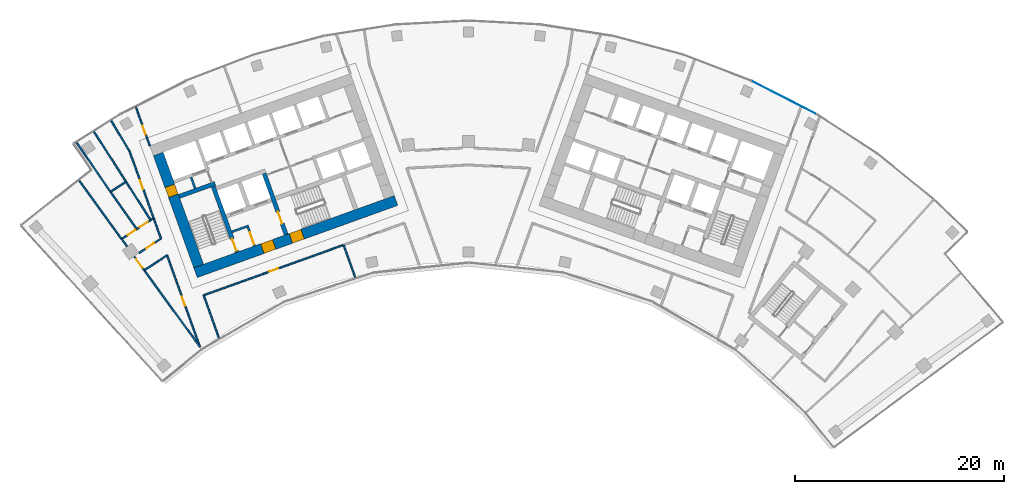
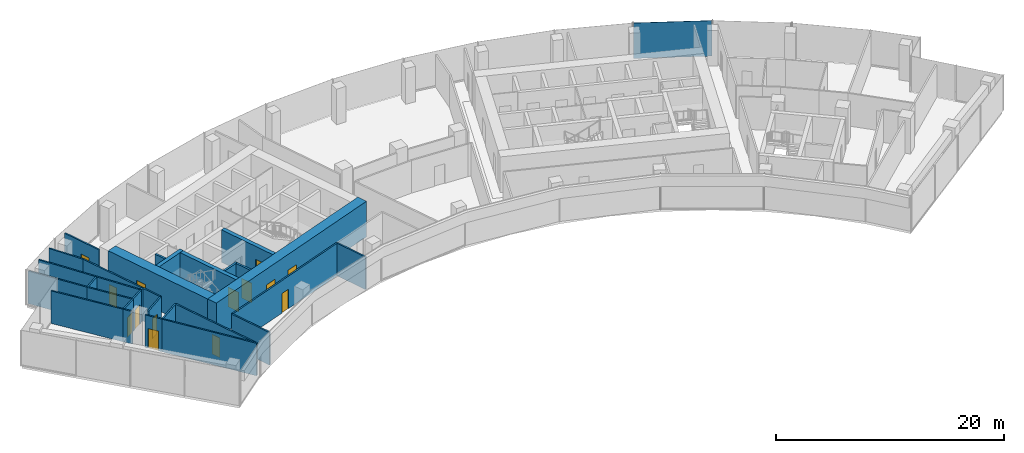
# One storey, part 11 of 17: 30 walls, 14 doors, 1 plate, 14 openings, 1 element without a shape of its own.
"""IFC4 building model written with IfcOpenShell, lengths in metres."""

from ifc_helpers import new_model, si_unit, direction, frame, frame_2d, origin, origin_2d, place, context, subcontext, project, spatial, rectangle, extrude, material, layer, layer_set, type_object, element, fill, aggregate, save


model = new_model("IFC4")

# Units and contexts
model_context = context("Model", 3, precision=1e-05, world=origin(), true_north=direction((0.0, 1.0)))
body_context = subcontext(model_context, "Body", "Model", "MODEL_VIEW")
ifc_project = project(units=[si_unit("LENGTHUNIT", "METRE"), si_unit("AREAUNIT", "SQUARE_METRE"), si_unit("VOLUMEUNIT", "CUBIC_METRE"), si_unit("PLANEANGLEUNIT", "RADIAN"), si_unit("MASSUNIT", "GRAM", prefix="KILO")], contexts=[model_context])

# Site, building, storey
site_placement = place(None, origin())
site = spatial("IfcSite", under=ifc_project, at=site_placement, CompositionType="ELEMENT")
building_placement = place(site_placement, origin())
building = spatial("IfcBuilding", under=site, at=building_placement, Name="Stone Belt Terrace Tower", CompositionType="ELEMENT")
storey_placement = place(building_placement, frame((0.0, 0.0, 231.39990234375)))
storey = spatial("IfcBuildingStorey", under=building, at=storey_placement, Name="L56", CompositionType="ELEMENT", Elevation=231.39990234375)

# Curtain wall, plate
ifc_material_1 = material(Name="Aluminium 6063-T6 anodised frame", Category="aluminium")
ifc_layer_1 = layer(ifc_material_1, 0.14990234375)
ifc_layer_set_1 = layer_set([ifc_layer_1], Name="CW-A unitised convex-face curtain wall")
curtain_wall_type = type_object("IfcCurtainWallType", Name="CW-A unitised convex-face curtain wall", PredefinedType="NOTDEFINED", material=ifc_layer_set_1)
curtain_wall_placement = place(storey_placement, origin())
curtain_wall = element("IfcCurtainWall", 1, at=curtain_wall_placement, inside=storey, type_object=curtain_wall_type, Name="CW-A convex face L56", PredefinedType="NOTDEFINED")
ifc_material_2 = material(Name="Clear double glazed unit")
ifc_layer_2 = layer(ifc_material_2, 0.031982421875)
ifc_layer_set_2 = layer_set([ifc_layer_2], Name="CW-A glass panel 32")
plate_type = type_object("IfcPlateType", Name="CW-A glass panel 32", PredefinedType="CURTAIN_PANEL", material=ifc_layer_set_2)
plate_placement = place(storey_placement, frame((30.18310546875, 59.237548828125, 0.0), z_axis=(0.0, 0.0, 1.0), x_axis=(-0.891006524188, 0.45399049974, 0.0)))
plate = element("IfcPlate", 2, at=plate_placement, type_object=plate_type, Name="CW-A panel 4.1", PredefinedType="CURTAIN_PANEL", context=body_context, shape_type="SweptSolid", body=[
    extrude(rectangle(XDim=6.90087890625, YDim=0.031982421875, at=origin_2d()), origin(), (0.0, 0.0, 1.0), 3.800048828125),
])
aggregate(curtain_wall, [plate])

# Wall, openings, doors
ifc_material_3 = material(Name="Concrete B60", Category="concrete")
ifc_layer_3 = layer(ifc_material_3, 1.0)
ifc_layer_set_3 = layer_set([ifc_layer_3], Name="Core wall 1000 B60")
wall_type_1 = type_object("IfcWallType", Name="Core wall 1000 B60", PredefinedType="SHEAR", material=ifc_layer_set_3)
wall_1_placement = place(storey_placement, frame((-26.122314453125, 42.462890625, 0.0), z_axis=(0.0, 0.0, 1.0), x_axis=(0.940921428504, 0.338624962727, 0.0)))
wall_1 = element("IfcWall", 3, at=wall_1_placement, inside=storey, type_object=wall_type_1, Name="Core A wall concave L56", PredefinedType="SHEAR", context=body_context, shape_type="SweptSolid", body=[
    extrude(rectangle(XDim=20.400146484375, YDim=1.0, at=frame_2d((10.2001953125, 0.0))), origin(), (0.0, 0.0, 1.0), 3.800048828125),
])
opening_1_placement = place(wall_1_placement, frame((6.800048828125, 0.0, 0.0)))
opening_1 = element("IfcOpeningElement", 4, at=opening_1_placement, cuts=wall_1, Name="Opening L56-C10", PredefinedType="OPENING", context=body_context, shape_type="SweptSolid", body=[
    extrude(rectangle(XDim=1.199951171875, YDim=2.10009765625, at=frame_2d((0.60009765625, 1.050048828125))), frame((0.0, 0.510009765625, 0.0), z_axis=(0.0, -1.0, 0.0), x_axis=(1.0, 0.0, 0.0)), (0.0, 0.0, 1.0), 1.02001953125),
])
opening_2_placement = place(wall_1_placement, frame((9.699951171875, 0.0, 0.0)))
opening_2 = element("IfcOpeningElement", 5, at=opening_2_placement, cuts=wall_1, Name="Opening L56-C12", PredefinedType="OPENING", context=body_context, shape_type="SweptSolid", body=[
    extrude(rectangle(XDim=1.199951171875, YDim=2.10009765625, at=frame_2d((0.60009765625, 1.050048828125))), frame((0.0, 0.510009765625, 0.0), z_axis=(0.0, -1.0, 0.0), x_axis=(1.0, 0.0, 0.0)), (0.0, 0.0, 1.0), 1.02001953125),
])
ifc_material_4 = material(Name="Steel door leaf", Category="steel")
door_type_1 = type_object("IfcDoorType", Name="Fire-fighting lobby door 1200", OperationType="SINGLE_SWING_LEFT", PredefinedType="DOOR", material=ifc_material_4)
door_1_placement = place(opening_1_placement, origin())
door_1 = element("IfcDoor", 6, at=door_1_placement, inside=storey, type_object=door_type_1, Name="Fire-fighting lobby door core A", OperationType="SINGLE_SWING_RIGHT", OverallHeight=2.10009765625, OverallWidth=1.199951171875, PredefinedType="DOOR", context=body_context, shape_type="SweptSolid", body=[
    extrude(rectangle(XDim=1.199951171875, YDim=2.10009765625, at=frame_2d((0.60009765625, 1.050048828125))), frame((0.0, 0.47998046875, 0.0), z_axis=(0.0, -1.0, 0.0), x_axis=(1.0, 0.0, 0.0)), (0.0, 0.0, 1.0), 0.9599609375),
])
fill(opening_1, door_1)
door_type_2 = type_object("IfcDoorType", Name="Stair door 1200", OperationType="SINGLE_SWING_LEFT", PredefinedType="DOOR", material=ifc_material_4)
door_2_placement = place(opening_2_placement, origin())
door_2 = element("IfcDoor", 7, at=door_2_placement, inside=storey, type_object=door_type_2, Name="Stair 2 exit door core A", OperationType="SINGLE_SWING_LEFT", OverallHeight=2.10009765625, OverallWidth=1.199951171875, PredefinedType="DOOR", context=body_context, shape_type="SweptSolid", body=[
    extrude(rectangle(XDim=1.199951171875, YDim=2.10009765625, at=frame_2d((0.60009765625, 1.050048828125))), frame((0.0, 0.47998046875, 0.0), z_axis=(0.0, -1.0, 0.0), x_axis=(1.0, 0.0, 0.0)), (0.0, 0.0, 1.0), 0.9599609375),
])
fill(opening_2, door_2)

# Wall, opening, door
wall_2_placement = place(storey_placement, frame((-25.821044921875, 43.102783203125, 0.0), z_axis=(0.0, 0.0, 1.0), x_axis=(-0.338625431531, 0.940921259788, 0.0)))
wall_2 = element("IfcWall", 8, at=wall_2_placement, inside=storey, type_object=wall_type_1, Name="Core A wall end_a L56", PredefinedType="SHEAR", context=body_context, shape_type="SweptSolid", body=[
    extrude(rectangle(XDim=11.400146484375, YDim=1.0, at=frame_2d((5.7001953125, 0.0))), origin(), (0.0, 0.0, 1.0), 3.800048828125),
])
opening_3_placement = place(wall_2_placement, frame((7.14990234375, 0.0, 0.0)))
opening_3 = element("IfcOpeningElement", 9, at=opening_3_placement, cuts=wall_2, Name="Opening L56-C04", PredefinedType="OPENING", context=body_context, shape_type="SweptSolid", body=[
    extrude(rectangle(XDim=1.0, YDim=2.10009765625, at=frame_2d((0.5, 1.050048828125))), frame((0.0, 0.510009765625, 0.0), z_axis=(0.0, -1.0, 0.0), x_axis=(1.0, 0.0, 0.0)), (0.0, 0.0, 1.0), 1.02001953125),
])
ifc_material_5 = material(Name="Timber door leaf", Category="wood")
door_type_3 = type_object("IfcDoorType", Name="Core room door 1000", OperationType="SINGLE_SWING_LEFT", PredefinedType="DOOR", material=ifc_material_5)
door_3_placement = place(opening_3_placement, origin())
door_3 = element("IfcDoor", 10, at=door_3_placement, inside=storey, type_object=door_type_3, Name="Door to Telecommunications riser room core A", OperationType="SINGLE_SWING_LEFT", OverallHeight=2.10009765625, OverallWidth=1.0, PredefinedType="DOOR", context=body_context, shape_type="SweptSolid", body=[
    extrude(rectangle(XDim=1.0, YDim=2.10009765625, at=frame_2d((0.5, 1.050048828125))), frame((0.0, 0.47021484375, 0.0), z_axis=(0.0, -1.0, 0.0), x_axis=(1.0, 0.0, 0.0)), (0.0, 0.0, 1.0), 0.949951171875),
])
fill(opening_3, door_3)

# Wall
ifc_material_6 = material(Name="Gypsum board partition")
ifc_layer_4 = layer(ifc_material_6, 0.14990234375)
ifc_layer_set_4 = layer_set([ifc_layer_4], Name="PARTITION 150 EI 60")
wall_type_2 = type_object("IfcWallType", Name="PARTITION 150 EI 60", PredefinedType="PARTITIONING", material=ifc_layer_set_4)
wall_3_placement = place(storey_placement, frame((-25.344970703125, 40.304931640625, 0.0), z_axis=(0.0, 0.0, 1.0), x_axis=(0.338603151709, -0.94092927771, 0.0)))
element("IfcWall", 11, at=wall_3_placement, inside=storey, type_object=wall_type_2, Name="L56/wall/i001", PredefinedType="PARTITIONING", context=body_context, shape_type="SweptSolid", body=[
    extrude(rectangle(XDim=4.38525390625, YDim=0.14990234375, at=frame_2d((2.192626953125, 0.0))), origin(), (0.0, 0.0, 1.0), 3.47998046875),
])

# Wall, opening, door
wall_4_placement = place(storey_placement, frame((-31.826904296875, 58.314208984375, 0.0), z_axis=(0.0, 0.0, 1.0), x_axis=(0.338542007836, -0.940951278723, 0.0)))
wall_4 = element("IfcWall", 12, at=wall_4_placement, inside=storey, type_object=wall_type_2, Name="L56/wall/i002", PredefinedType="PARTITIONING", context=body_context, shape_type="SweptSolid", body=[
    extrude(rectangle(XDim=3.946044921875, YDim=0.14990234375, at=frame_2d((1.97314453125, 0.0))), origin(), (0.0, 0.0, 1.0), 3.47998046875),
])
opening_4_placement = place(wall_4_placement, frame((1.889892578125, 0.0, 0.0)))
opening_4 = element("IfcOpeningElement", 13, at=opening_4_placement, cuts=wall_4, Name="Opening D-D4-03", PredefinedType="OPENING", context=body_context, shape_type="SweptSolid", body=[
    extrude(rectangle(XDim=0.89990234375, YDim=2.10009765625, at=frame_2d((0.449951171875, 1.050048828125))), frame((0.0, 0.0849609375, 0.0), z_axis=(0.0, -1.0, 0.0), x_axis=(1.0, 0.0, 0.0)), (0.0, 0.0, 1.0), 0.169921875),
])
door_type_4 = type_object("IfcDoorType", Name="OFFICE DOOR 900 X 2100", OperationType="NOTDEFINED", PredefinedType="DOOR", material=ifc_material_5)
door_4_placement = place(opening_4_placement, origin())
door_4 = element("IfcDoor", 14, at=door_4_placement, inside=storey, type_object=door_type_4, Name="L56/door/i03", OperationType="SINGLE_SWING_RIGHT", OverallHeight=2.10009765625, OverallWidth=0.89990234375, PredefinedType="DOOR", context=body_context, shape_type="SweptSolid", body=[
    extrude(rectangle(XDim=0.89990234375, YDim=2.10009765625, at=frame_2d((0.449951171875, 1.050048828125))), frame((0.0, 0.02490234375, 0.0), z_axis=(0.0, -1.0, 0.0), x_axis=(1.0, 0.0, 0.0)), (0.0, 0.0, 1.0), 0.050048828125),
])
fill(opening_4, door_4)

wall_5_placement = place(storey_placement, frame((-25.69091796875, 35.35791015625, 0.0), z_axis=(0.0, 0.0, 1.0), x_axis=(-0.338657394617, 0.940909756072, 0.0)))
wall_5 = element("IfcWall", 15, at=wall_5_placement, inside=storey, type_object=wall_type_2, Name="L56/wall/i003", PredefinedType="PARTITIONING", context=body_context, shape_type="SweptSolid", body=[
    extrude(rectangle(XDim=9.33154296875, YDim=0.14990234375, at=frame_2d((4.665771484375, 0.0))), origin(), (0.0, 0.0, 1.0), 3.47998046875),
])
opening_5_placement = place(wall_5_placement, frame((4.215576171875, 0.0, 0.0)))
opening_5 = element("IfcOpeningElement", 16, at=opening_5_placement, cuts=wall_5, Name="Opening D-D4-10", PredefinedType="OPENING", context=body_context, shape_type="SweptSolid", body=[
    extrude(rectangle(XDim=0.89990234375, YDim=2.10009765625, at=frame_2d((0.449951171875, 1.050048828125))), frame((0.0, 0.0849609375, 0.0), z_axis=(0.0, -1.0, 0.0), x_axis=(1.0, 0.0, 0.0)), (0.0, 0.0, 1.0), 0.169921875),
])
door_5_placement = place(opening_5_placement, origin())
door_5 = element("IfcDoor", 17, at=door_5_placement, inside=storey, type_object=door_type_4, Name="L56/door/i10", OperationType="SINGLE_SWING_RIGHT", OverallHeight=2.10009765625, OverallWidth=0.89990234375, PredefinedType="DOOR", context=body_context, shape_type="SweptSolid", body=[
    extrude(rectangle(XDim=0.89990234375, YDim=2.10009765625, at=frame_2d((0.449951171875, 1.050048828125))), frame((0.0, 0.02490234375, 0.0), z_axis=(0.0, -1.0, 0.0), x_axis=(1.0, 0.0, 0.0)), (0.0, 0.0, 1.0), 0.050048828125),
])
fill(opening_5, door_5)

# Wall
wall_6_placement = place(storey_placement, frame((-29.4208984375, 45.721923828125, 0.0), z_axis=(0.0, 0.0, 1.0), x_axis=(-0.33843352279, 0.940990303166, 0.0)))
element("IfcWall", 18, at=wall_6_placement, inside=storey, type_object=wall_type_2, Name="L56/wall/i004", PredefinedType="PARTITIONING", context=body_context, shape_type="SweptSolid", body=[
    extrude(rectangle(XDim=2.086181640625, YDim=0.14990234375, at=frame_2d((1.04296875, 0.0))), origin(), (0.0, 0.0, 1.0), 3.47998046875),
])

# Wall, opening, door
wall_7_placement = place(storey_placement, frame((-30.123046875, 47.673095703125, 0.0), z_axis=(0.0, 0.0, 1.0), x_axis=(-0.338708034587, 0.940891527917, 0.0)))
wall_7 = element("IfcWall", 19, at=wall_7_placement, inside=storey, type_object=wall_type_2, Name="L56/wall/i005", PredefinedType="PARTITIONING", context=body_context, shape_type="SweptSolid", body=[
    extrude(rectangle(XDim=6.80517578125, YDim=0.14990234375, at=frame_2d((3.402587890625, 0.0))), origin(), (0.0, 0.0, 1.0), 3.47998046875),
])
opening_6_placement = place(wall_7_placement, frame((2.95263671875, 0.0, 0.0)))
opening_6 = element("IfcOpeningElement", 20, at=opening_6_placement, cuts=wall_7, Name="Opening D-D4-14", PredefinedType="OPENING", context=body_context, shape_type="SweptSolid", body=[
    extrude(rectangle(XDim=0.89990234375, YDim=2.10009765625, at=frame_2d((0.449951171875, 1.050048828125))), frame((0.0, 0.0849609375, 0.0), z_axis=(0.0, -1.0, 0.0), x_axis=(1.0, 0.0, 0.0)), (0.0, 0.0, 1.0), 0.169921875),
])
door_6_placement = place(opening_6_placement, origin())
door_6 = element("IfcDoor", 21, at=door_6_placement, inside=storey, type_object=door_type_4, Name="L56/door/i14", OperationType="SINGLE_SWING_RIGHT", OverallHeight=2.10009765625, OverallWidth=0.89990234375, PredefinedType="DOOR", context=body_context, shape_type="SweptSolid", body=[
    extrude(rectangle(XDim=0.89990234375, YDim=2.10009765625, at=frame_2d((0.449951171875, 1.050048828125))), frame((0.0, 0.02490234375, 0.0), z_axis=(0.0, -1.0, 0.0), x_axis=(1.0, 0.0, 0.0)), (0.0, 0.0, 1.0), 0.050048828125),
])
fill(opening_6, door_6)

# Wall
wall_8_placement = place(storey_placement, frame((-32.427978515625, 54.075927734375, 0.0), z_axis=(0.0, 0.0, 1.0), x_axis=(-0.514137974797, 0.857707492606, 0.0)))
element("IfcWall", 22, at=wall_8_placement, inside=storey, type_object=wall_type_2, Name="L56/wall/i006", PredefinedType="PARTITIONING", context=body_context, shape_type="SweptSolid", body=[
    extrude(rectangle(XDim=3.412353515625, YDim=0.14990234375, at=frame_2d((1.7060546875, 0.0))), origin(), (0.0, 0.0, 1.0), 3.47998046875),
])

# Wall, opening, door
wall_9_placement = place(storey_placement, frame((-11.93896484375, 45.123046875, 0.0), z_axis=(0.0, 0.0, 1.0), x_axis=(-0.940920615009, -0.338627223138, 0.0)))
wall_9 = element("IfcWall", 23, at=wall_9_placement, inside=storey, type_object=wall_type_2, Name="L56/wall/i012", PredefinedType="PARTITIONING", context=body_context, shape_type="SweptSolid", body=[
    extrude(rectangle(XDim=14.24560546875, YDim=0.14990234375, at=frame_2d((7.122802734375, 0.0))), origin(), (0.0, 0.0, 1.0), 3.47998046875),
])
opening_7_placement = place(wall_9_placement, frame((6.6728515625, 0.0, 0.0)))
opening_7 = element("IfcOpeningElement", 24, at=opening_7_placement, cuts=wall_9, Name="Opening D-D4-01", PredefinedType="OPENING", context=body_context, shape_type="SweptSolid", body=[
    extrude(rectangle(XDim=0.89990234375, YDim=2.10009765625, at=frame_2d((0.449951171875, 1.050048828125))), frame((0.0, 0.0849609375, 0.0), z_axis=(0.0, -1.0, 0.0), x_axis=(1.0, 0.0, 0.0)), (0.0, 0.0, 1.0), 0.169921875),
])
door_7_placement = place(opening_7_placement, origin())
door_7 = element("IfcDoor", 25, at=door_7_placement, inside=storey, type_object=door_type_4, Name="L56/door/i01", OperationType="SINGLE_SWING_RIGHT", OverallHeight=2.10009765625, OverallWidth=0.89990234375, PredefinedType="DOOR", context=body_context, shape_type="SweptSolid", body=[
    extrude(rectangle(XDim=0.89990234375, YDim=2.10009765625, at=frame_2d((0.449951171875, 1.050048828125))), frame((0.0, 0.02490234375, 0.0), z_axis=(0.0, -1.0, 0.0), x_axis=(1.0, 0.0, 0.0)), (0.0, 0.0, 1.0), 0.050048828125),
])
fill(opening_7, door_7)

# Wall
wall_10_placement = place(storey_placement, frame((-11.945068359375, 45.12109375, 0.0), z_axis=(0.0, 0.0, 1.0), x_axis=(0.338546245332, -0.940949754116, 0.0)))
element("IfcWall", 26, at=wall_10_placement, inside=storey, type_object=wall_type_2, Name="L56/wall/i014", PredefinedType="PARTITIONING", context=body_context, shape_type="SweptSolid", body=[
    extrude(rectangle(XDim=3.343994140625, YDim=0.14990234375, at=frame_2d((1.671875, 0.0))), origin(), (0.0, 0.0, 1.0), 3.47998046875),
])

# Wall, opening, door
wall_11_placement = place(storey_placement, frame((-31.01708984375, 42.69091796875, 0.0), z_axis=(0.0, 0.0, 1.0), x_axis=(-0.587894873124, 0.80893733883, 0.0)))
wall_11 = element("IfcWall", 27, at=wall_11_placement, inside=storey, type_object=wall_type_2, Name="L56/wall/i032", PredefinedType="PARTITIONING", context=body_context, shape_type="SweptSolid", body=[
    extrude(rectangle(XDim=1.625732421875, YDim=0.14990234375, at=frame_2d((0.81298828125, 0.0))), origin(), (0.0, 0.0, 1.0), 3.47998046875),
])
opening_8_placement = place(wall_11_placement, frame((0.31298828125, 0.0, 0.0)))
opening_8 = element("IfcOpeningElement", 28, at=opening_8_placement, cuts=wall_11, Name="Opening D-D4-09", PredefinedType="OPENING", context=body_context, shape_type="SweptSolid", body=[
    extrude(rectangle(XDim=1.0, YDim=2.10009765625, at=frame_2d((0.5, 1.050048828125))), frame((0.0, 0.0849609375, 0.0), z_axis=(0.0, -1.0, 0.0), x_axis=(1.0, 0.0, 0.0)), (0.0, 0.0, 1.0), 0.169921875),
])
ifc_material_7 = material(Name="Timber fire door leaf", Category="wood")
door_type_5 = type_object("IfcDoorType", Name="TENANCY ENTRANCE DOOR 1000 X 2100", OperationType="NOTDEFINED", PredefinedType="DOOR", material=ifc_material_7)
door_8_placement = place(opening_8_placement, origin())
door_8 = element("IfcDoor", 29, at=door_8_placement, inside=storey, type_object=door_type_5, Name="L56/door/i09", OperationType="SINGLE_SWING_RIGHT", OverallHeight=2.10009765625, OverallWidth=1.0, PredefinedType="DOOR", context=body_context, shape_type="SweptSolid", body=[
    extrude(rectangle(XDim=1.0, YDim=2.10009765625, at=frame_2d((0.5, 1.050048828125))), frame((0.0, 0.02490234375, 0.0), z_axis=(0.0, -1.0, 0.0), x_axis=(1.0, 0.0, 0.0)), (0.0, 0.0, 1.0), 0.050048828125),
])
fill(opening_8, door_8)

# Walls
wall_12_placement = place(storey_placement, frame((-31.02392578125, 42.699951171875, 0.0), z_axis=(0.0, 0.0, 1.0), x_axis=(0.587853093218, -0.808967700711, 0.0)))
element("IfcWall", 30, at=wall_12_placement, inside=storey, type_object=wall_type_2, Name="L56/wall/i033", PredefinedType="PARTITIONING", context=body_context, shape_type="SweptSolid", body=[
    extrude(rectangle(XDim=9.068359375, YDim=0.14990234375, at=frame_2d((4.5341796875, 0.0))), origin(), (0.0, 0.0, 1.0), 3.47998046875),
])
wall_13_placement = place(storey_placement, frame((-33.197021484375, 45.69091796875, 0.0), z_axis=(0.0, 0.0, 1.0), x_axis=(0.587888822877, -0.808941735811, 0.0)))
element("IfcWall", 31, at=wall_13_placement, inside=storey, type_object=wall_type_2, Name="L56/wall/i034", PredefinedType="PARTITIONING", context=body_context, shape_type="SweptSolid", body=[
    extrude(rectangle(XDim=0.87255859375, YDim=0.14990234375, at=frame_2d((0.436279296875, 0.0))), origin(), (0.0, 0.0, 1.0), 3.47998046875),
])
wall_14_placement = place(storey_placement, frame((-37.271728515625, 51.2998046875, 0.0), z_axis=(0.0, 0.0, 1.0), x_axis=(0.587797445401, -0.809008135422, 0.0)))
element("IfcWall", 32, at=wall_14_placement, inside=storey, type_object=wall_type_2, Name="L56/wall/i035", PredefinedType="PARTITIONING", context=body_context, shape_type="SweptSolid", body=[
    extrude(rectangle(XDim=6.944091796875, YDim=0.14990234375, at=frame_2d((3.47216796875, 0.0))), origin(), (0.0, 0.0, 1.0), 3.47998046875),
])
wall_15_placement = place(storey_placement, frame((-28.84912109375, 44.132080078125, 0.0), z_axis=(0.0, 0.0, 1.0), x_axis=(-0.834036299229, -0.551709571757, 0.0)))
element("IfcWall", 33, at=wall_15_placement, inside=storey, type_object=wall_type_2, Name="L56/wall/i036", PredefinedType="PARTITIONING", context=body_context, shape_type="SweptSolid", body=[
    extrude(rectangle(XDim=2.602783203125, YDim=0.14990234375, at=frame_2d((1.30126953125, 0.0))), origin(), (0.0, 0.0, 1.0), 3.47998046875),
])

# Wall, opening, door
wall_16_placement = place(storey_placement, frame((-31.49755859375, 44.3564453125, 0.0), z_axis=(0.0, 0.0, 1.0), x_axis=(0.834158700869, 0.551524488817, 0.0)))
wall_16 = element("IfcWall", 34, at=wall_16_placement, inside=storey, type_object=wall_type_2, Name="L56/wall/i037", PredefinedType="PARTITIONING", context=body_context, shape_type="SweptSolid", body=[
    extrude(rectangle(XDim=2.48681640625, YDim=0.14990234375, at=frame_2d((1.243408203125, 0.0))), origin(), (0.0, 0.0, 1.0), 3.47998046875),
])
opening_9_placement = place(wall_16_placement, frame((0.79345703125, 0.0, 0.0)))
opening_9 = element("IfcOpeningElement", 35, at=opening_9_placement, cuts=wall_16, Name="Opening D-D4-11", PredefinedType="OPENING", context=body_context, shape_type="SweptSolid", body=[
    extrude(rectangle(XDim=0.89990234375, YDim=2.10009765625, at=frame_2d((0.449951171875, 1.050048828125))), frame((0.0, 0.0849609375, 0.0), z_axis=(0.0, -1.0, 0.0), x_axis=(1.0, 0.0, 0.0)), (0.0, 0.0, 1.0), 0.169921875),
])
door_9_placement = place(opening_9_placement, origin())
door_9 = element("IfcDoor", 36, at=door_9_placement, inside=storey, type_object=door_type_4, Name="L56/door/i11", OperationType="SINGLE_SWING_RIGHT", OverallHeight=2.10009765625, OverallWidth=0.89990234375, PredefinedType="DOOR", context=body_context, shape_type="SweptSolid", body=[
    extrude(rectangle(XDim=0.89990234375, YDim=2.10009765625, at=frame_2d((0.449951171875, 1.050048828125))), frame((0.0, 0.02490234375, 0.0), z_axis=(0.0, -1.0, 0.0), x_axis=(1.0, 0.0, 0.0)), (0.0, 0.0, 1.0), 0.050048828125),
])
fill(opening_9, door_9)

wall_17_placement = place(storey_placement, frame((-33.193115234375, 45.68701171875, 0.0), z_axis=(0.0, 0.0, 1.0), x_axis=(0.83876621414, 0.54449172447, 0.0)))
wall_17 = element("IfcWall", 37, at=wall_17_placement, inside=storey, type_object=wall_type_2, Name="L56/wall/i038", PredefinedType="PARTITIONING", context=body_context, shape_type="SweptSolid", body=[
    extrude(rectangle(XDim=1.74560546875, YDim=0.14990234375, at=frame_2d((0.872802734375, 0.0))), origin(), (0.0, 0.0, 1.0), 3.47998046875),
])
opening_10_placement = place(wall_17_placement, frame((0.695556640625, 0.0, 0.0)))
opening_10 = element("IfcOpeningElement", 38, at=opening_10_placement, cuts=wall_17, Name="Opening D-D4-12", PredefinedType="OPENING", context=body_context, shape_type="SweptSolid", body=[
    extrude(rectangle(XDim=0.89990234375, YDim=2.10009765625, at=frame_2d((0.449951171875, 1.050048828125))), frame((0.0, 0.0849609375, 0.0), z_axis=(0.0, -1.0, 0.0), x_axis=(1.0, 0.0, 0.0)), (0.0, 0.0, 1.0), 0.169921875),
])
door_10_placement = place(opening_10_placement, origin())
door_10 = element("IfcDoor", 39, at=door_10_placement, inside=storey, type_object=door_type_4, Name="L56/door/i12", OperationType="SINGLE_SWING_RIGHT", OverallHeight=2.10009765625, OverallWidth=0.89990234375, PredefinedType="DOOR", context=body_context, shape_type="SweptSolid", body=[
    extrude(rectangle(XDim=0.89990234375, YDim=2.10009765625, at=frame_2d((0.449951171875, 1.050048828125))), frame((0.0, 0.02490234375, 0.0), z_axis=(0.0, -1.0, 0.0), x_axis=(1.0, 0.0, 0.0)), (0.0, 0.0, 1.0), 0.050048828125),
])
fill(opening_10, door_10)

wall_18_placement = place(storey_placement, frame((-31.739013671875, 46.631591796875, 0.0), z_axis=(0.0, 0.0, 1.0), x_axis=(0.838822772434, 0.544404588928, 0.0)))
wall_18 = element("IfcWall", 40, at=wall_18_placement, inside=storey, type_object=wall_type_2, Name="L56/wall/i039", PredefinedType="PARTITIONING", context=body_context, shape_type="SweptSolid", body=[
    extrude(rectangle(XDim=1.587890625, YDim=0.14990234375, at=frame_2d((0.7939453125, 0.0))), origin(), (0.0, 0.0, 1.0), 3.47998046875),
])
opening_11_placement = place(wall_18_placement, frame((0.343994140625, 0.0, 0.0)))
opening_11 = element("IfcOpeningElement", 41, at=opening_11_placement, cuts=wall_18, Name="Opening D-D4-13", PredefinedType="OPENING", context=body_context, shape_type="SweptSolid", body=[
    extrude(rectangle(XDim=0.89990234375, YDim=2.10009765625, at=frame_2d((0.449951171875, 1.050048828125))), frame((0.0, 0.0849609375, 0.0), z_axis=(0.0, -1.0, 0.0), x_axis=(1.0, 0.0, 0.0)), (0.0, 0.0, 1.0), 0.169921875),
])
door_11_placement = place(opening_11_placement, origin())
door_11 = element("IfcDoor", 42, at=door_11_placement, inside=storey, type_object=door_type_4, Name="L56/door/i13", OperationType="SINGLE_SWING_RIGHT", OverallHeight=2.10009765625, OverallWidth=0.89990234375, PredefinedType="DOOR", context=body_context, shape_type="SweptSolid", body=[
    extrude(rectangle(XDim=0.89990234375, YDim=2.10009765625, at=frame_2d((0.449951171875, 1.050048828125))), frame((0.0, 0.02490234375, 0.0), z_axis=(0.0, -1.0, 0.0), x_axis=(1.0, 0.0, 0.0)), (0.0, 0.0, 1.0), 0.050048828125),
])
fill(opening_11, door_11)

# Walls
wall_19_placement = place(storey_placement, frame((-30.4169921875, 47.489990234375, 0.0), z_axis=(0.0, 0.0, 1.0), x_axis=(0.839532489511, 0.543309487359, 0.0)))
element("IfcWall", 43, at=wall_19_placement, inside=storey, type_object=wall_type_2, Name="L56/wall/i040", PredefinedType="PARTITIONING", context=body_context, shape_type="SweptSolid", body=[
    extrude(rectangle(XDim=0.347900390625, YDim=0.14990234375, at=frame_2d((0.173828125, 0.0))), origin(), (0.0, 0.0, 1.0), 3.47998046875),
])
wall_20_placement = place(storey_placement, frame((-34.262939453125, 50.197998046875, 0.0), z_axis=(0.0, 0.0, 1.0), x_axis=(0.578661916565, -0.81556752407, 0.0)))
element("IfcWall", 44, at=wall_20_placement, inside=storey, type_object=wall_type_2, Name="L56/wall/i041", PredefinedType="PARTITIONING", context=body_context, shape_type="SweptSolid", body=[
    extrude(rectangle(XDim=4.37060546875, YDim=0.14990234375, at=frame_2d((2.185302734375, 0.0))), origin(), (0.0, 0.0, 1.0), 3.47998046875),
])
wall_21_placement = place(storey_placement, frame((-37.484375, 54.91650390625, 0.0), z_axis=(0.0, 0.0, 1.0), x_axis=(0.563731096183, -0.825958383453, 0.0)))
element("IfcWall", 45, at=wall_21_placement, inside=storey, type_object=wall_type_2, Name="L56/wall/i042", PredefinedType="PARTITIONING", context=body_context, shape_type="SweptSolid", body=[
    extrude(rectangle(XDim=5.724853515625, YDim=0.14990234375, at=frame_2d((2.8623046875, 0.0))), origin(), (0.0, 0.0, 1.0), 3.47998046875),
])
wall_22_placement = place(storey_placement, frame((-34.260009765625, 50.193115234375, 0.0), z_axis=(0.0, 0.0, 1.0), x_axis=(0.83414980876, 0.55153793754, 0.0)))
element("IfcWall", 46, at=wall_22_placement, inside=storey, type_object=wall_type_2, Name="L56/wall/i043", PredefinedType="PARTITIONING", context=body_context, shape_type="SweptSolid", body=[
    extrude(rectangle(XDim=1.783935546875, YDim=0.14990234375, at=frame_2d((0.89208984375, 0.0))), origin(), (0.0, 0.0, 1.0), 3.47998046875),
])
wall_23_placement = place(storey_placement, frame((-32.77197265625, 51.177001953125, 0.0), z_axis=(0.0, 0.0, 1.0), x_axis=(0.539386188695, -0.842058513077, 0.0)))
element("IfcWall", 47, at=wall_23_placement, inside=storey, type_object=wall_type_2, Name="L56/wall/i044", PredefinedType="PARTITIONING", context=body_context, shape_type="SweptSolid", body=[
    extrude(rectangle(XDim=4.375, YDim=0.14990234375, at=frame_2d((2.1875, 0.0))), origin(), (0.0, 0.0, 1.0), 3.47998046875),
])
wall_24_placement = place(storey_placement, frame((-35.833984375, 55.959228515625, 0.0), z_axis=(0.0, 0.0, 1.0), x_axis=(0.539226928629, -0.842160506935, 0.0)))
element("IfcWall", 48, at=wall_24_placement, inside=storey, type_object=wall_type_2, Name="L56/wall/i045", PredefinedType="PARTITIONING", context=body_context, shape_type="SweptSolid", body=[
    extrude(rectangle(XDim=5.678466796875, YDim=0.14990234375, at=frame_2d((2.83935546875, 0.0))), origin(), (0.0, 0.0, 1.0), 3.47998046875),
])
ifc_material_8 = material(Name="Concrete masonry block", Category="masonry")
ifc_layer_5 = layer(ifc_material_8, 0.199951171875)
ifc_layer_set_5 = layer_set([ifc_layer_5], Name="Rated lobby wall 200")
wall_type_3 = type_object("IfcWallType", Name="Rated lobby wall 200", PredefinedType="PARTITIONING", material=ifc_layer_set_5)
wall_25_placement = place(storey_placement, frame((-26.1552734375, 50.5283203125, 0.0), z_axis=(0.0, 0.0, 1.0), x_axis=(-0.338621735342, 0.94092258999, 0.0)))
element("IfcWall", 49, at=wall_25_placement, inside=storey, type_object=wall_type_3, Name="Core A wall", PredefinedType="PARTITIONING", context=body_context, shape_type="SweptSolid", body=[
    extrude(rectangle(XDim=1.14990234375, YDim=0.199951171875, at=frame_2d((0.574951171875, 0.0))), origin(), (0.0, 0.0, 1.0), 3.47998046875),
])
wall_26_placement = place(storey_placement, frame((-22.640625, 46.373046875, 0.0), z_axis=(0.0, 0.0, 1.0), x_axis=(0.940966110313, 0.338500781747, 0.0)))
element("IfcWall", 50, at=wall_26_placement, inside=storey, type_object=wall_type_3, Name="Core A wall", PredefinedType="PARTITIONING", context=body_context, shape_type="SweptSolid", body=[
    extrude(rectangle(XDim=1.699951171875, YDim=0.199951171875, at=frame_2d((0.85009765625, 0.0))), origin(), (0.0, 0.0, 1.0), 3.47998046875),
])

# Wall, opening, door
wall_27_placement = place(storey_placement, frame((-20.4580078125, 45.032958984375, 0.0), z_axis=(0.0, 0.0, 1.0), x_axis=(-0.338573865316, 0.940939816208, 0.0)))
wall_27 = element("IfcWall", 51, at=wall_27_placement, inside=storey, type_object=wall_type_3, Name="Core A wall", PredefinedType="PARTITIONING", context=body_context, shape_type="SweptSolid", body=[
    extrude(rectangle(XDim=1.900146484375, YDim=0.199951171875, at=frame_2d((0.9501953125, 0.0))), origin(), (0.0, 0.0, 1.0), 3.47998046875),
])
opening_12_placement = place(wall_27_placement, frame((0.14990234375, 0.0, 0.0)))
opening_12 = element("IfcOpeningElement", 52, at=opening_12_placement, cuts=wall_27, Name="Opening L56-C09", PredefinedType="OPENING", context=body_context, shape_type="SweptSolid", body=[
    extrude(rectangle(XDim=1.199951171875, YDim=2.10009765625, at=frame_2d((0.60009765625, 1.050048828125))), frame((0.0, 0.10986328125, 0.0), z_axis=(0.0, -1.0, 0.0), x_axis=(1.0, 0.0, 0.0)), (0.0, 0.0, 1.0), 0.219970703125),
])
door_12_placement = place(opening_12_placement, origin())
door_12 = element("IfcDoor", 53, at=door_12_placement, inside=storey, type_object=door_type_2, Name="Stair airlock door core A", OperationType="SINGLE_SWING_RIGHT", OverallHeight=2.10009765625, OverallWidth=1.199951171875, PredefinedType="DOOR", context=body_context, shape_type="SweptSolid", body=[
    extrude(rectangle(XDim=1.199951171875, YDim=2.10009765625, at=frame_2d((0.60009765625, 1.050048828125))), frame((0.0, 0.02490234375, 0.0), z_axis=(0.0, -1.0, 0.0), x_axis=(1.0, 0.0, 0.0)), (0.0, 0.0, 1.0), 0.050048828125),
])
fill(opening_12, door_12)

# Wall
ifc_material_9 = material(Name="Concrete B80", Category="concrete")
ifc_layer_6 = layer(ifc_material_9, 0.39990234375)
ifc_layer_set_6 = layer_set([ifc_layer_6], Name="Stair enclosure wall 400")
wall_type_4 = type_object("IfcWallType", Name="Stair enclosure wall 400", PredefinedType="SHEAR", material=ifc_layer_set_6)
wall_28_placement = place(storey_placement, frame((-27.687255859375, 49.764404296875, 0.0), z_axis=(0.0, 0.0, 1.0), x_axis=(0.940918954884, 0.338631835981, 0.0)))
element("IfcWall", 54, at=wall_28_placement, inside=storey, type_object=wall_type_4, Name="Core A wall", PredefinedType="SHEAR", context=body_context, shape_type="SweptSolid", body=[
    extrude(rectangle(XDim=3.650146484375, YDim=0.39990234375, at=frame_2d((1.8251953125, 0.0))), origin(), (0.0, 0.0, 1.0), 3.47998046875),
])

# Wall, opening, door
wall_29_placement = place(storey_placement, frame((-22.151611328125, 44.42333984375, 0.0), z_axis=(0.0, 0.0, 1.0), x_axis=(-0.338625272931, 0.940921316866, 0.0)))
wall_29 = element("IfcWall", 55, at=wall_29_placement, inside=storey, type_object=wall_type_4, Name="Core A wall", PredefinedType="SHEAR", context=body_context, shape_type="SweptSolid", body=[
    extrude(rectangle(XDim=6.699951171875, YDim=0.39990234375, at=frame_2d((3.35009765625, 0.0))), origin(), (0.0, 0.0, 1.0), 3.47998046875),
])
opening_13_placement = place(wall_29_placement, frame((0.14990234375, 0.0, 0.0)))
opening_13 = element("IfcOpeningElement", 56, at=opening_13_placement, cuts=wall_29, Name="Opening L56-C08", PredefinedType="OPENING", context=body_context, shape_type="SweptSolid", body=[
    extrude(rectangle(XDim=1.199951171875, YDim=2.10009765625, at=frame_2d((0.60009765625, 1.050048828125))), frame((0.0, 0.2099609375, 0.0), z_axis=(0.0, -1.0, 0.0), x_axis=(1.0, 0.0, 0.0)), (0.0, 0.0, 1.0), 0.419921875),
])
door_13_placement = place(opening_13_placement, origin())
door_13 = element("IfcDoor", 57, at=door_13_placement, inside=storey, type_object=door_type_2, Name="Stair 1 door core A", OperationType="SINGLE_SWING_RIGHT", OverallHeight=2.10009765625, OverallWidth=1.199951171875, PredefinedType="DOOR", context=body_context, shape_type="SweptSolid", body=[
    extrude(rectangle(XDim=1.199951171875, YDim=2.10009765625, at=frame_2d((0.60009765625, 1.050048828125))), frame((0.0, 0.02490234375, 0.0), z_axis=(0.0, -1.0, 0.0), x_axis=(1.0, 0.0, 0.0)), (0.0, 0.0, 1.0), 0.050048828125),
])
fill(opening_13, door_13)

wall_30_placement = place(storey_placement, frame((-17.447021484375, 46.116455078125, 0.0), z_axis=(0.0, 0.0, 1.0), x_axis=(-0.33860791464, 0.940927563707, 0.0)))
wall_30 = element("IfcWall", 58, at=wall_30_placement, inside=storey, type_object=wall_type_4, Name="Core A wall", PredefinedType="SHEAR", context=body_context, shape_type="SweptSolid", body=[
    extrude(rectangle(XDim=6.199951171875, YDim=0.39990234375, at=frame_2d((3.10009765625, 0.0))), origin(), (0.0, 0.0, 1.0), 3.47998046875),
])
opening_14_placement = place(wall_30_placement, frame((1.10009765625, 0.0, 0.0)))
opening_14 = element("IfcOpeningElement", 59, at=opening_14_placement, cuts=wall_30, Name="Opening L56-C11", PredefinedType="OPENING", context=body_context, shape_type="SweptSolid", body=[
    extrude(rectangle(XDim=1.199951171875, YDim=2.10009765625, at=frame_2d((0.60009765625, 1.050048828125))), frame((0.0, 0.2099609375, 0.0), z_axis=(0.0, -1.0, 0.0), x_axis=(1.0, 0.0, 0.0)), (0.0, 0.0, 1.0), 0.419921875),
])
door_14_placement = place(opening_14_placement, origin())
door_14 = element("IfcDoor", 60, at=door_14_placement, inside=storey, type_object=door_type_2, Name="Stair 2 door core A", OperationType="SINGLE_SWING_RIGHT", OverallHeight=2.10009765625, OverallWidth=1.199951171875, PredefinedType="DOOR", context=body_context, shape_type="SweptSolid", body=[
    extrude(rectangle(XDim=1.199951171875, YDim=2.10009765625, at=frame_2d((0.60009765625, 1.050048828125))), frame((0.0, 0.02490234375, 0.0), z_axis=(0.0, -1.0, 0.0), x_axis=(1.0, 0.0, 0.0)), (0.0, 0.0, 1.0), 0.050048828125),
])
fill(opening_14, door_14)

save(model, "model.ifc")
